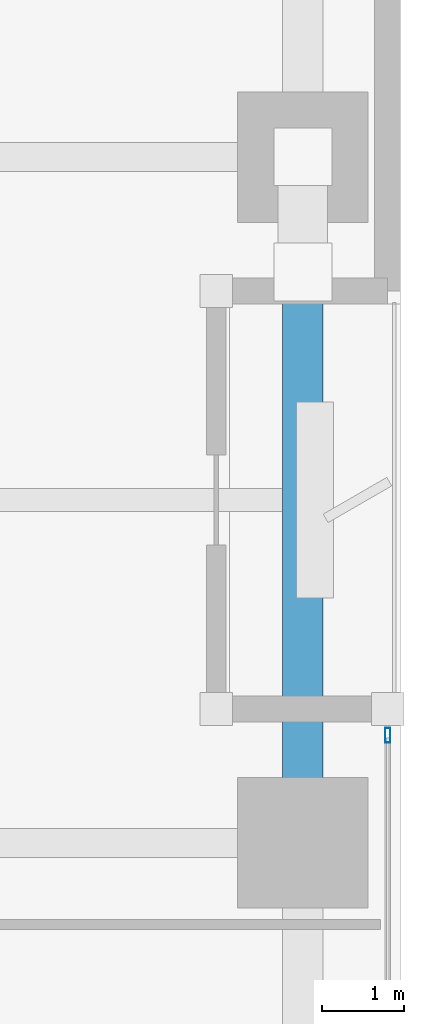
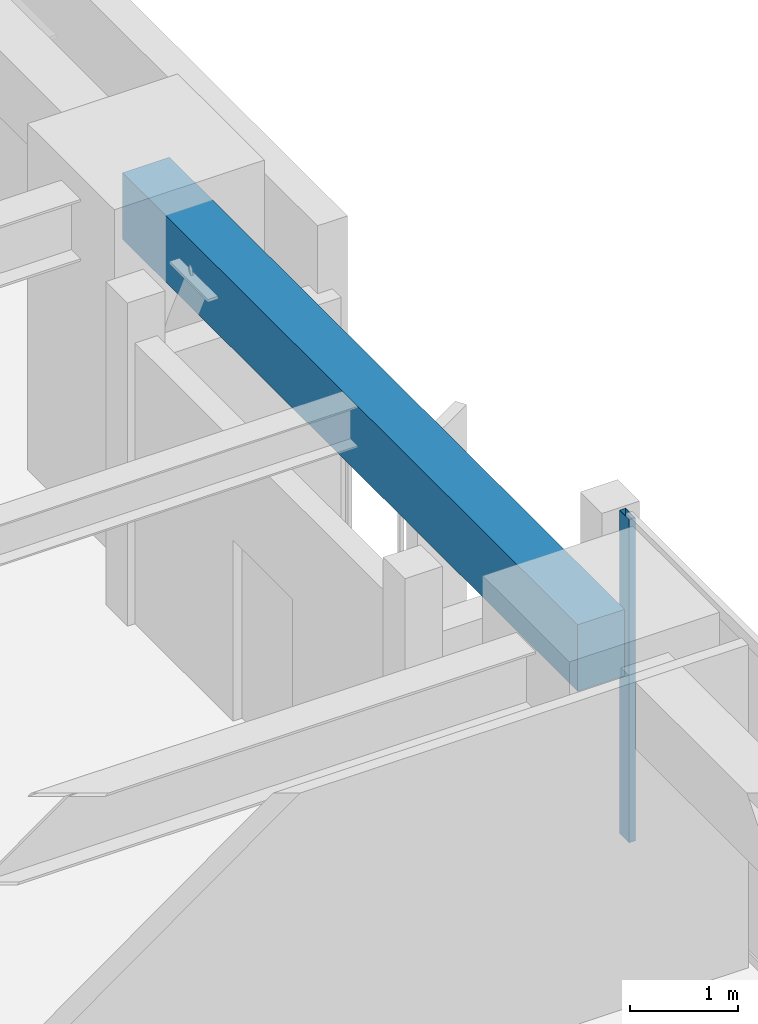
# One storey, part 10 of 29: 1 beam, 1 member, 1 element without a shape of its own.
"""IFC4 building model written with IfcOpenShell, lengths in metres."""

from ifc_helpers import new_model, si_unit, direction, frame, origin, origin_2d, place, context, subcontext, project, spatial, rectangle, hollow_rectangle, extrude, material, layer, layer_set, material_profile, profile_set, type_object, element, aggregate, save


model = new_model("IFC4")

# Units and contexts
model_context = context("Model", 3, precision=1e-05, world=origin(), true_north=direction((0.0, 1.0)))
body_context = subcontext(model_context, "Body", "Model", "MODEL_VIEW")
ifc_project = project(units=[si_unit("LENGTHUNIT", "METRE"), si_unit("AREAUNIT", "SQUARE_METRE"), si_unit("VOLUMEUNIT", "CUBIC_METRE"), si_unit("PLANEANGLEUNIT", "RADIAN"), si_unit("MASSUNIT", "GRAM", prefix="KILO")], contexts=[model_context])

# Site, building, storey
site_placement = place(None, origin())
site = spatial("IfcSite", under=ifc_project, at=site_placement, CompositionType="ELEMENT")
building_placement = place(site_placement, origin())
building = spatial("IfcBuilding", under=site, at=building_placement, Name="Kiyonajd Concourse Tower", CompositionType="ELEMENT")
storey_placement = place(building_placement, frame((0.0, 0.0, 29.39990234375)))
storey = spatial("IfcBuildingStorey", under=building, at=storey_placement, Name="L08", CompositionType="ELEMENT", Elevation=29.39990234375)

# Beam
ifc_material_1 = material(Name="Precast concrete C50/60", Category="concrete")
ifc_material_profile_1 = material_profile(ifc_material_1, rectangle(XDim=0.5, YDim=0.75, at=origin_2d()), Name="RCBM-500x750")
ifc_profile_set_1 = profile_set([ifc_material_profile_1], Name="Precast concrete C50/60")
beam_type = type_object("IfcBeamType", Name="BM-SPAN-RC", PredefinedType="SPANDREL", material=ifc_profile_set_1)
beam_placement = place(storey_placement, frame((78.0, 36.0, 3.26513671875), z_axis=(0.0, 1.0, 0.0), x_axis=(-1.0, 0.0, 0.0)))
element("IfcBeam", 1, at=beam_placement, inside=storey, type_object=beam_type, Name="L08 Perimeter Bundled Tube Spandrel", PredefinedType="SPANDREL", context=body_context, shape_type="SweptSolid", body=[
    extrude(rectangle(XDim=0.5, YDim=0.75, at=origin_2d()), origin(), (0.0, 0.0, 1.0), 8.39990234375),
])

# Curtain wall, member
ifc_material_2 = material(Name="Thermally Broken Anodised Aluminium", Category="aluminium")
ifc_layer = layer(ifc_material_2, 0.179931640625)
ifc_layer_set = layer_set([ifc_layer], Name="Thermally Broken Anodised Aluminium")
curtain_wall_type = type_object("IfcCurtainWallType", Name="CW-SYS-02", PredefinedType="NOTDEFINED", material=ifc_layer_set)
curtain_wall_placement = place(storey_placement, origin())
curtain_wall = element("IfcCurtainWall", 2, at=curtain_wall_placement, inside=storey, type_object=curtain_wall_type, Name="L08 Unitised Curtain Wall CW2", PredefinedType="NOTDEFINED")
ifc_material_profile_2 = material_profile(ifc_material_2, hollow_rectangle(XDim=0.06494140625, YDim=0.179931640625, WallThickness=0.00390625, at=origin_2d()), Name="MULL-65x180")
ifc_profile_set_2 = profile_set([ifc_material_profile_2], Name="Thermally Broken Anodised Aluminium")
member_type = type_object("IfcMemberType", Name="MB-CW-MULL1", PredefinedType="MULLION", material=ifc_profile_set_2)
member_placement = place(storey_placement, frame((79.0400390625, 37.3173828125, 0.0), z_axis=(0.0, 0.0, 1.0), x_axis=(1.0, 0.0, 0.0)))
member = element("IfcMember", 3, at=member_placement, type_object=member_type, Name="CW2 mullion 1", PredefinedType="MULLION", context=body_context, shape_type="SweptSolid", body=[
    extrude(hollow_rectangle(XDim=0.06494140625, YDim=0.179931640625, WallThickness=0.00390625, at=origin_2d()), origin(), (0.0, 0.0, 1.0), 3.64013671875),
])
aggregate(curtain_wall, [member])

save(model, "model.ifc")
